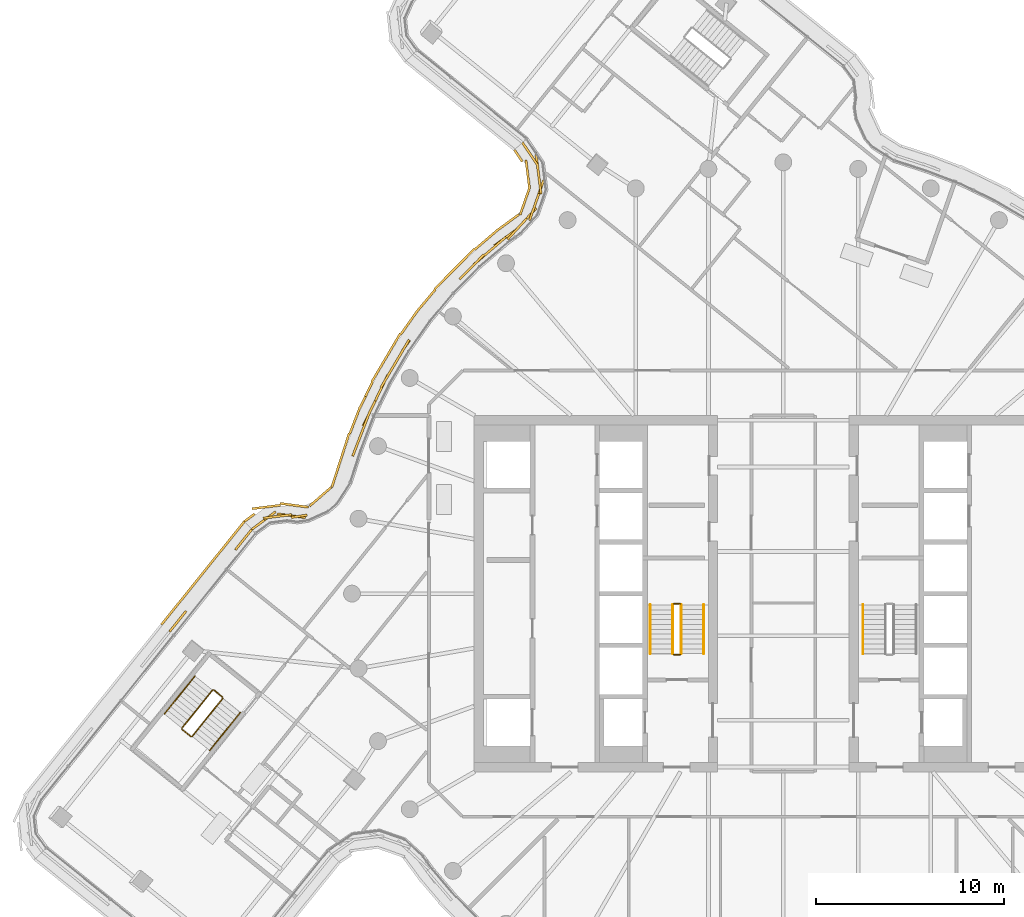
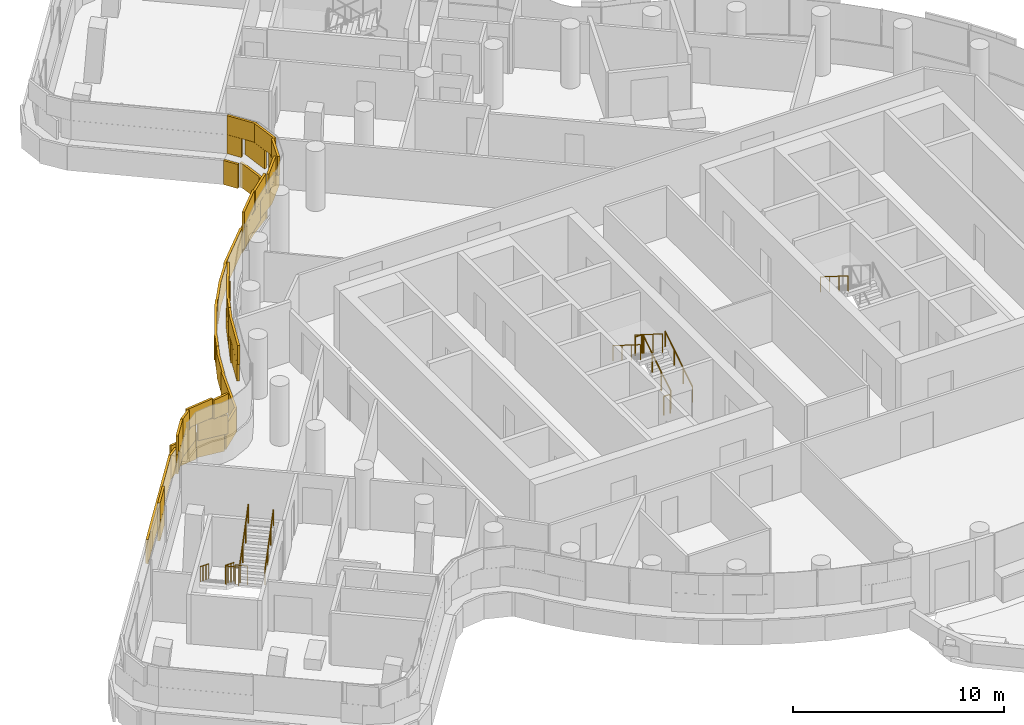
# One storey, part 22 of 25: 13 railings, 3 coverings.
"""IFC4 building model written with IfcOpenShell, lengths in metres."""

from ifc_helpers import new_model, si_unit, direction, frame, origin, origin_2d, place, context, subcontext, project, spatial, rectangle, circle, extrude, material, layer, layer_set, type_object, element, save


model = new_model("IFC4")

# Units and contexts
model_context = context("Model", 3, precision=1e-05, world=origin(), true_north=direction((0.0, 1.0)))
body_context = subcontext(model_context, "Body", "Model", "MODEL_VIEW")
ifc_project = project(units=[si_unit("LENGTHUNIT", "METRE"), si_unit("AREAUNIT", "SQUARE_METRE"), si_unit("VOLUMEUNIT", "CUBIC_METRE"), si_unit("PLANEANGLEUNIT", "RADIAN"), si_unit("MASSUNIT", "GRAM", prefix="KILO")], contexts=[model_context])

# Site, building, storey
site_placement = place(None, origin())
site = spatial("IfcSite", under=ifc_project, at=site_placement, CompositionType="ELEMENT")
building_placement = place(site_placement, origin())
building = spatial("IfcBuilding", under=site, at=building_placement, Name="Tamarind Cross Interchange Tower", CompositionType="ELEMENT")
storey_placement = place(building_placement, frame((0.0, 0.0, 219.89990234375)))
storey = spatial("IfcBuildingStorey", under=building, at=storey_placement, Name="L55", CompositionType="ELEMENT", Elevation=219.89990234375)

# Railings
ifc_material_1 = material(Name="Stair guard")
railing_type_1 = type_object("IfcRailingType", Name="Stair guard", PredefinedType="GUARDRAIL", material=ifc_material_1)
railing_1_placement = place(storey_placement, frame((-5.449951171875, -3.199951171875, 0.163818359375)))
element("IfcRailing", 1, at=railing_1_placement, inside=storey, type_object=railing_type_1, Name="L55 ST1 stair guard 1", PredefinedType="GUARDRAIL", context=body_context, shape_type="SweptSolid", body=[
    extrude(circle(Radius=0.02392578125, at=origin_2d()), frame((0.0, 0.0, 1.076171875), z_axis=(0.0, 0.846337672412, 0.532646734952), x_axis=(-1.0, 0.0, 0.0)), (0.0, 0.0, 1.0), 3.07177734375),
    extrude(circle(Radius=0.02099609375, at=origin_2d()), origin(), (0.0, 0.0, 1.0), 1.052001953125),
    extrude(circle(Radius=0.02099609375, at=origin_2d()), frame((0.0, 0.86669921875, 0.54541015625)), (0.0, 0.0, 1.0), 1.052001953125),
    extrude(circle(Radius=0.02099609375, at=origin_2d()), frame((0.0, 1.733154296875, 1.0908203125)), (0.0, 0.0, 1.0), 1.052001953125),
    extrude(circle(Radius=0.02099609375, at=origin_2d()), frame((0.0, 2.599853515625, 1.63623046875)), (0.0, 0.0, 1.0), 1.052001953125),
])
railing_2_placement = place(storey_placement, frame((-5.5, -0.550048828125, 1.800048828125)))
element("IfcRailing", 2, at=railing_2_placement, inside=storey, type_object=railing_type_1, Name="L55 ST1 stair guard 2", PredefinedType="GUARDRAIL", context=body_context, shape_type="SweptSolid", body=[
    extrude(circle(Radius=0.02392578125, at=origin_2d()), frame((0.0, 0.0, 1.076171875), z_axis=(-1.0, 0.0, 0.0), x_axis=(0.0, -1.0, 0.0)), (0.0, 0.0, 1.0), 0.35009765625),
    extrude(circle(Radius=0.02099609375, at=origin_2d()), origin(), (0.0, 0.0, 1.0), 1.052001953125),
    extrude(circle(Radius=0.02099609375, at=origin_2d()), frame((-0.35009765625, 0.0, 0.0)), (0.0, 0.0, 1.0), 1.052001953125),
])
railing_3_placement = place(storey_placement, frame((-5.89990234375, -0.60009765625, 1.963623046875)))
element("IfcRailing", 3, at=railing_3_placement, inside=storey, type_object=railing_type_1, Name="L55 ST1 stair guard 3", PredefinedType="GUARDRAIL", context=body_context, shape_type="SweptSolid", body=[
    extrude(circle(Radius=0.02392578125, at=origin_2d()), frame((0.0, 0.0, 1.076171875), z_axis=(0.0, -0.846301844409, 0.532703658848), x_axis=(1.0, 0.0, 0.0)), (0.0, 0.0, 1.0), 3.072021484375),
    extrude(circle(Radius=0.02099609375, at=origin_2d()), origin(), (0.0, 0.0, 1.0), 1.052001953125),
    extrude(circle(Radius=0.02099609375, at=origin_2d()), frame((0.0, -0.86669921875, 0.54541015625)), (0.0, 0.0, 1.0), 1.052001953125),
    extrude(circle(Radius=0.02099609375, at=origin_2d()), frame((0.0, -1.733154296875, 1.091064453125)), (0.0, 0.0, 1.0), 1.052001953125),
    extrude(circle(Radius=0.02099609375, at=origin_2d()), frame((0.0, -2.599853515625, 1.636474609375)), (0.0, 0.0, 1.0), 1.052001953125),
])
railing_4_placement = place(storey_placement, frame((-5.5, -3.25, 0.0)))
element("IfcRailing", 4, at=railing_4_placement, inside=storey, type_object=railing_type_1, Name="L55 ST1 stair guard 4", PredefinedType="GUARDRAIL", context=body_context, shape_type="SweptSolid", body=[
    extrude(circle(Radius=0.02392578125, at=origin_2d()), frame((0.0, 0.0, 1.076171875), z_axis=(-1.0, 0.0, 0.0), x_axis=(0.0, -1.0, 0.0)), (0.0, 0.0, 1.0), 0.35009765625),
    extrude(circle(Radius=0.02099609375, at=origin_2d()), origin(), (0.0, 0.0, 1.0), 1.052001953125),
    extrude(circle(Radius=0.02099609375, at=origin_2d()), frame((-0.35009765625, 0.0, 0.0)), (0.0, 0.0, 1.0), 1.052001953125),
])
railing_5_placement = place(storey_placement, frame((-30.438720703125, -5.14794921875, 0.163818359375)))
element("IfcRailing", 5, at=railing_5_placement, inside=storey, type_object=railing_type_1, Name="L55 ST5 stair guard 1", PredefinedType="GUARDRAIL", context=body_context, shape_type="SweptSolid", body=[
    extrude(circle(Radius=0.02392578125, at=origin_2d()), frame((0.0, 0.0, 1.076171875), z_axis=(-0.530340046103, -0.659567217534, 0.532644835753), x_axis=(0.779318122707, -0.626628489315, 0.0)), (0.0, 0.0, 1.0), 3.07177734375),
    extrude(circle(Radius=0.02099609375, at=origin_2d()), origin(), (0.0, 0.0, 1.0), 1.052001953125),
    extrude(circle(Radius=0.02099609375, at=origin_2d()), frame((-0.54296875, -0.67529296875, 0.54541015625)), (0.0, 0.0, 1.0), 1.052001953125),
    extrude(circle(Radius=0.02099609375, at=origin_2d()), frame((-1.086181640625, -1.350830078125, 1.0908203125)), (0.0, 0.0, 1.0), 1.052001953125),
    extrude(circle(Radius=0.02099609375, at=origin_2d()), frame((-1.629150390625, -2.026123046875, 1.63623046875)), (0.0, 0.0, 1.0), 1.052001953125),
])
railing_6_placement = place(storey_placement, frame((-32.060302734375, -7.244384765625, 1.800048828125)))
element("IfcRailing", 6, at=railing_6_placement, inside=storey, type_object=railing_type_1, Name="L55 ST5 stair guard 2", PredefinedType="GUARDRAIL", context=body_context, shape_type="SweptSolid", body=[
    extrude(circle(Radius=0.02392578125, at=origin_2d()), frame((0.0, 0.0, 1.076171875), z_axis=(0.779278251962, -0.626678072074, 0.0), x_axis=(0.626678072074, 0.779278251962, 0.0)), (0.0, 0.0, 1.0), 0.599853515625),
    extrude(circle(Radius=0.02099609375, at=origin_2d()), origin(), (0.0, 0.0, 1.0), 1.052001953125),
    extrude(circle(Radius=0.02099609375, at=origin_2d()), frame((0.467529296875, -0.3759765625, 0.0)), (0.0, 0.0, 1.0), 1.052001953125),
])
railing_7_placement = place(storey_placement, frame((-31.5224609375, -7.61279296875, 1.963623046875)))
element("IfcRailing", 7, at=railing_7_placement, inside=storey, type_object=railing_type_1, Name="L55 ST5 stair guard 3", PredefinedType="GUARDRAIL", context=body_context, shape_type="SweptSolid", body=[
    extrude(circle(Radius=0.02392578125, at=origin_2d()), frame((0.0, 0.0, 1.076171875), z_axis=(0.530374713426, 0.659511499359, 0.532679308375), x_axis=(-0.779272265444, 0.626685516276, 0.0)), (0.0, 0.0, 1.0), 3.072265625),
    extrude(circle(Radius=0.02099609375, at=origin_2d()), origin(), (0.0, 0.0, 1.0), 1.052001953125),
    extrude(circle(Radius=0.02099609375, at=origin_2d()), frame((0.543212890625, 0.67529296875, 0.54541015625)), (0.0, 0.0, 1.0), 1.052001953125),
    extrude(circle(Radius=0.02099609375, at=origin_2d()), frame((1.086181640625, 1.350830078125, 1.091064453125)), (0.0, 0.0, 1.0), 1.052001953125),
    extrude(circle(Radius=0.02099609375, at=origin_2d()), frame((1.62939453125, 2.026123046875, 1.636474609375)), (0.0, 0.0, 1.0), 1.052001953125),
])
railing_8_placement = place(storey_placement, frame((-30.368408203125, -5.140380859375, 0.0)))
element("IfcRailing", 8, at=railing_8_placement, inside=storey, type_object=railing_type_1, Name="L55 ST5 stair guard 4", PredefinedType="GUARDRAIL", context=body_context, shape_type="SweptSolid", body=[
    extrude(circle(Radius=0.02392578125, at=origin_2d()), frame((0.0, 0.0, 1.076171875), z_axis=(0.779278251962, -0.626678072074, 0.0), x_axis=(0.626678072074, 0.779278251962, 0.0)), (0.0, 0.0, 1.0), 0.599853515625),
    extrude(circle(Radius=0.02099609375, at=origin_2d()), origin(), (0.0, 0.0, 1.0), 1.052001953125),
    extrude(circle(Radius=0.02099609375, at=origin_2d()), frame((0.467529296875, -0.3759765625, 0.0)), (0.0, 0.0, 1.0), 1.052001953125),
])
ifc_material_2 = material(Name="Stair handrail")
railing_type_2 = type_object("IfcRailingType", Name="Stair handrail", PredefinedType="HANDRAIL", material=ifc_material_2)
railing_9_placement = place(storey_placement, frame((-4.25, -3.199951171875, 0.163818359375)))
element("IfcRailing", 9, at=railing_9_placement, inside=storey, type_object=railing_type_2, Name="L55 ST1 stair handrail 1", PredefinedType="HANDRAIL", context=body_context, shape_type="SweptSolid", body=[
    extrude(circle(Radius=0.02392578125, at=origin_2d()), frame((0.0, 0.0, 0.8759765625), z_axis=(0.0, 0.846337672412, 0.532646734952), x_axis=(-1.0, 0.0, 0.0)), (0.0, 0.0, 1.0), 3.07177734375),
    extrude(circle(Radius=0.02099609375, at=origin_2d()), origin(), (0.0, 0.0, 1.0), 0.851806640625),
    extrude(circle(Radius=0.02099609375, at=origin_2d()), frame((0.0, 0.86669921875, 0.54541015625)), (0.0, 0.0, 1.0), 0.851806640625),
    extrude(circle(Radius=0.02099609375, at=origin_2d()), frame((0.0, 1.733154296875, 1.0908203125)), (0.0, 0.0, 1.0), 0.851806640625),
    extrude(circle(Radius=0.02099609375, at=origin_2d()), frame((0.0, 2.599853515625, 1.63623046875)), (0.0, 0.0, 1.0), 0.851806640625),
])
for number, where, name in (
    (10, (-7.10009765625, -0.60009765625, 1.963623046875), "L55 ST1 stair handrail 2"),
    (11, (4.25, -0.60009765625, 1.963623046875), "L55 ST2 stair handrail 2"),
):
    element("IfcRailing", number, at=place(storey_placement, frame(where)), inside=storey, type_object=railing_type_2, Name=name, PredefinedType="HANDRAIL", context=body_context, shape_type="SweptSolid", body=[
        extrude(circle(Radius=0.02392578125, at=origin_2d()), frame((0.0, 0.0, 0.8759765625), z_axis=(0.0, -0.846301844409, 0.532703658848), x_axis=(1.0, 0.0, 0.0)), (0.0, 0.0, 1.0), 3.072021484375),
        extrude(circle(Radius=0.02099609375, at=origin_2d()), origin(), (0.0, 0.0, 1.0), 0.851806640625),
        extrude(circle(Radius=0.02099609375, at=origin_2d()), frame((0.0, -0.86669921875, 0.54541015625)), (0.0, 0.0, 1.0), 0.851806640625),
        extrude(circle(Radius=0.02099609375, at=origin_2d()), frame((0.0, -1.733154296875, 1.091064453125)), (0.0, 0.0, 1.0), 0.851806640625),
        extrude(circle(Radius=0.02099609375, at=origin_2d()), frame((0.0, -2.599853515625, 1.636474609375)), (0.0, 0.0, 1.0), 0.851806640625),
    ])
railing_10_placement = place(storey_placement, frame((-31.373779296875, -4.39599609375, 0.163818359375)))
element("IfcRailing", 12, at=railing_10_placement, inside=storey, type_object=railing_type_2, Name="L55 ST5 stair handrail 1", PredefinedType="HANDRAIL", context=body_context, shape_type="SweptSolid", body=[
    extrude(circle(Radius=0.02392578125, at=origin_2d()), frame((0.0, 0.0, 0.8759765625), z_axis=(-0.530397164671, -0.659539417082, 0.53262238502), x_axis=(0.779272265444, -0.626685516276, 0.0)), (0.0, 0.0, 1.0), 3.072021484375),
    extrude(circle(Radius=0.02099609375, at=origin_2d()), origin(), (0.0, 0.0, 1.0), 0.851806640625),
    extrude(circle(Radius=0.02099609375, at=origin_2d()), frame((-0.543212890625, -0.67529296875, 0.54541015625)), (0.0, 0.0, 1.0), 0.851806640625),
    extrude(circle(Radius=0.02099609375, at=origin_2d()), frame((-1.086181640625, -1.350830078125, 1.0908203125)), (0.0, 0.0, 1.0), 0.851806640625),
    extrude(circle(Radius=0.02099609375, at=origin_2d()), frame((-1.62939453125, -2.026123046875, 1.63623046875)), (0.0, 0.0, 1.0), 0.851806640625),
])
railing_11_placement = place(storey_placement, frame((-30.58740234375, -8.36474609375, 1.963623046875)))
element("IfcRailing", 13, at=railing_11_placement, inside=storey, type_object=railing_type_2, Name="L55 ST5 stair handrail 2", PredefinedType="HANDRAIL", context=body_context, shape_type="SweptSolid", body=[
    extrude(circle(Radius=0.02392578125, at=origin_2d()), frame((0.0, 0.0, 0.8759765625), z_axis=(0.530374713426, 0.659511499359, 0.532679308375), x_axis=(-0.779272265444, 0.626685516276, 0.0)), (0.0, 0.0, 1.0), 3.072265625),
    extrude(circle(Radius=0.02099609375, at=origin_2d()), origin(), (0.0, 0.0, 1.0), 0.851806640625),
    extrude(circle(Radius=0.02099609375, at=origin_2d()), frame((0.543212890625, 0.67529296875, 0.54541015625)), (0.0, 0.0, 1.0), 0.851806640625),
    extrude(circle(Radius=0.02099609375, at=origin_2d()), frame((1.086181640625, 1.350830078125, 1.091064453125)), (0.0, 0.0, 1.0), 0.851806640625),
    extrude(circle(Radius=0.02099609375, at=origin_2d()), frame((1.62939453125, 2.026123046875, 1.636474609375)), (0.0, 0.0, 1.0), 0.851806640625),
])

# Coverings
ifc_material_3 = material(Name="Terracotta", Category="masonry")
ifc_layer = layer(ifc_material_3, 0.1201171875)
ifc_layer_set = layer_set([ifc_layer], Name="Terracotta")
covering_type = type_object("IfcCoveringType", Name="Terracotta baguette screen unit", PredefinedType="MOLDING", material=ifc_layer_set)
covering_1_placement = place(storey_placement, origin())
element("IfcCovering", 14, at=covering_1_placement, inside=storey, type_object=covering_type, Name="SCR-L55-06-00", PredefinedType="MOLDING", context=body_context, shape_type="SweptSolid", body=[
    extrude(rectangle(XDim=0.760009765625, YDim=0.1201171875, at=origin_2d()), frame((-13.7041015625, 23.745849609375, 1.404296875), z_axis=(0.0, 0.0, 1.0), x_axis=(0.5585919075, -0.829442632661, 0.0)), (0.0, 0.0, 1.0), 1.092041015625),
    extrude(rectangle(XDim=1.52001953125, YDim=0.1201171875, at=origin_2d()), frame((-13.105224609375, 22.801513671875, 1.404296875), z_axis=(0.0, 0.0, 1.0), x_axis=(0.125248605136, -0.992125388704, 0.0)), (0.0, 0.0, 1.0), 1.092041015625),
    extrude(rectangle(XDim=1.52001953125, YDim=0.1201171875, at=origin_2d()), frame((-13.03564453125, 21.325927734375, 1.404296875), z_axis=(0.0, 0.0, 1.0), x_axis=(-0.329231023706, -0.944249401922, 0.0)), (0.0, 0.0, 1.0), 1.092041015625),
    extrude(rectangle(XDim=1.52001953125, YDim=0.1201171875, at=origin_2d()), frame((-13.684814453125, 20.002197265625, 1.404296875), z_axis=(0.0, 0.0, 1.0), x_axis=(-0.675227017746, -0.737609974516, 0.0)), (0.0, 0.0, 1.0), 1.092041015625),
    extrude(rectangle(XDim=1.52001953125, YDim=0.1201171875, at=origin_2d()), frame((-14.793701171875, 19.003173828125, 1.404296875), z_axis=(0.0, 0.0, 1.0), x_axis=(-0.807842579022, -0.589398309735, 0.0)), (0.0, 0.0, 1.0), 1.092041015625),
    extrude(rectangle(XDim=1.52001953125, YDim=0.1201171875, at=origin_2d()), frame((-15.93896484375, 18.034912109375, 1.404296875), z_axis=(0.0, 0.0, 1.0), x_axis=(-0.760295606781, -0.64957723968, 0.0)), (0.0, 0.0, 1.0), 1.092041015625),
    extrude(rectangle(XDim=1.102783203125, YDim=0.1201171875, at=origin_2d()), frame((-16.885009765625, 17.150146484375, 1.404296875), z_axis=(0.0, 0.0, 1.0), x_axis=(-0.704057148523, -0.710143317658, 0.0)), (0.0, 0.0, 1.0), 1.092041015625),
    extrude(rectangle(XDim=0.717041015625, YDim=0.1201171875, at=origin_2d()), frame((-20.12353515625, 13.223876953125, 1.404296875), z_axis=(0.0, 0.0, 1.0), x_axis=(-0.577568978284, -0.816341886298, 0.0)), (0.0, 0.0, 1.0), 1.092041015625),
    extrude(rectangle(XDim=1.52001953125, YDim=0.1201171875, at=origin_2d()), frame((-20.696044921875, 12.281005859375, 1.404296875), z_axis=(0.0, 0.0, 1.0), x_axis=(-0.508183308752, -0.861248933065, 0.0)), (0.0, 0.0, 1.0), 1.092041015625),
    extrude(rectangle(XDim=1.52001953125, YDim=0.1201171875, at=origin_2d()), frame((-21.426025390625, 10.9716796875, 1.404296875), z_axis=(0.0, 0.0, 1.0), x_axis=(-0.435326231914, -0.900272776334, 0.0)), (0.0, 0.0, 1.0), 1.092041015625),
    extrude(rectangle(XDim=0.039306640625, YDim=0.1201171875, at=origin_2d()), frame((-21.7587890625, 10.283447265625, 1.404296875), z_axis=(0.0, 0.0, 1.0), x_axis=(-0.435326231914, -0.900272776334, 0.0)), (0.0, 0.0, 1.0), 1.092041015625),
    extrude(rectangle(XDim=1.510009765625, YDim=0.1201171875, at=origin_2d()), frame((-13.49462890625, 23.434814453125, 2.50390625), z_axis=(0.0, 0.0, 1.0), x_axis=(0.5585919075, -0.829442632661, 0.0)), (0.0, 0.0, 1.0), 1.092041015625),
    extrude(rectangle(XDim=1.52001953125, YDim=0.1201171875, at=origin_2d()), frame((-13.01123046875, 22.057373046875, 2.50390625), z_axis=(0.0, 0.0, 1.0), x_axis=(0.125248605136, -0.992125388704, 0.0)), (0.0, 0.0, 1.0), 1.092041015625),
    extrude(rectangle(XDim=1.52001953125, YDim=0.1201171875, at=origin_2d()), frame((-13.282470703125, 20.61767578125, 2.50390625), z_axis=(0.0, 0.0, 1.0), x_axis=(-0.329231023706, -0.944249401922, 0.0)), (0.0, 0.0, 1.0), 1.092041015625),
    extrude(rectangle(XDim=1.52001953125, YDim=0.1201171875, at=origin_2d()), frame((-14.191162109375, 19.448974609375, 2.50390625), z_axis=(0.0, 0.0, 1.0), x_axis=(-0.675227017746, -0.737609974516, 0.0)), (0.0, 0.0, 1.0), 1.092041015625),
    extrude(rectangle(XDim=1.52001953125, YDim=0.1201171875, at=origin_2d()), frame((-15.36865234375, 18.522216796875, 2.50390625), z_axis=(0.0, 0.0, 1.0), x_axis=(-0.760295606781, -0.64957723968, 0.0)), (0.0, 0.0, 1.0), 1.092041015625),
    extrude(rectangle(XDim=1.52001953125, YDim=0.1201171875, at=origin_2d()), frame((-16.500244140625, 17.5380859375, 2.50390625), z_axis=(0.0, 0.0, 1.0), x_axis=(-0.704057148523, -0.710143317658, 0.0)), (0.0, 0.0, 1.0), 1.092041015625),
    extrude(rectangle(XDim=0.352783203125, YDim=0.1201171875, at=origin_2d()), frame((-17.14892578125, 16.8837890625, 2.50390625), z_axis=(0.0, 0.0, 1.0), x_axis=(-0.704057148523, -0.710143317658, 0.0)), (0.0, 0.0, 1.0), 1.092041015625),
    extrude(rectangle(XDim=1.467041015625, YDim=0.1201171875, at=origin_2d()), frame((-20.325927734375, 12.908447265625, 2.50390625), z_axis=(0.0, 0.0, 1.0), x_axis=(-0.508183308752, -0.861248933065, 0.0)), (0.0, 0.0, 1.0), 1.092041015625),
    extrude(rectangle(XDim=1.52001953125, YDim=0.1201171875, at=origin_2d()), frame((-21.0771484375, 11.635009765625, 2.50390625), z_axis=(0.0, 0.0, 1.0), x_axis=(-0.508183308752, -0.861248933065, 0.0)), (0.0, 0.0, 1.0), 1.092041015625),
    extrude(rectangle(XDim=0.789306640625, YDim=0.1201171875, at=origin_2d()), frame((-21.595458984375, 10.620849609375, 2.50390625), z_axis=(0.0, 0.0, 1.0), x_axis=(-0.435326231914, -0.900272776334, 0.0)), (0.0, 0.0, 1.0), 1.092041015625),
    extrude(rectangle(XDim=0.760009765625, YDim=0.1201171875, at=origin_2d()), frame((-14.12939453125, 23.349609375, 0.004150390625), z_axis=(0.0, 0.0, 1.0), x_axis=(0.5585919075, -0.829442632661, 0.0)), (0.0, 0.0, 1.0), 1.39208984375),
    extrude(rectangle(XDim=1.52001953125, YDim=0.1201171875, at=origin_2d()), frame((-13.629638671875, 22.373291015625, 0.004150390625), z_axis=(0.0, 0.0, 1.0), x_axis=(0.125248605136, -0.992125388704, 0.0)), (0.0, 0.0, 1.0), 1.39208984375),
    extrude(rectangle(XDim=1.52001953125, YDim=0.1201171875, at=origin_2d()), frame((-13.784423828125, 20.92138671875, 0.004150390625), z_axis=(0.0, 0.0, 1.0), x_axis=(-0.329231023706, -0.944249401922, 0.0)), (0.0, 0.0, 1.0), 1.39208984375),
    extrude(rectangle(XDim=1.52001953125, YDim=0.1201171875, at=origin_2d()), frame((-14.71142578125, 19.773681640625, 0.004150390625), z_axis=(0.0, 0.0, 1.0), x_axis=(-0.807842579022, -0.589398309735, 0.0)), (0.0, 0.0, 1.0), 1.39208984375),
    extrude(rectangle(XDim=1.52001953125, YDim=0.1201171875, at=origin_2d()), frame((-15.882568359375, 18.838134765625, 0.004150390625), z_axis=(0.0, 0.0, 1.0), x_axis=(-0.760295606781, -0.64957723968, 0.0)), (0.0, 0.0, 1.0), 1.39208984375),
    extrude(rectangle(XDim=1.52001953125, YDim=0.1201171875, at=origin_2d()), frame((-17.0048828125, 17.844482421875, 0.004150390625), z_axis=(0.0, 0.0, 1.0), x_axis=(-0.704057148523, -0.710143317658, 0.0)), (0.0, 0.0, 1.0), 1.39208984375),
    extrude(rectangle(XDim=1.52001953125, YDim=0.1201171875, at=origin_2d()), frame((-18.06103515625, 16.779296875, 0.004150390625), z_axis=(0.0, 0.0, 1.0), x_axis=(-0.704057148523, -0.710143317658, 0.0)), (0.0, 0.0, 1.0), 1.39208984375),
    extrude(rectangle(XDim=1.52001953125, YDim=0.1201171875, at=origin_2d()), frame((-19.038818359375, 15.642578125, 0.004150390625), z_axis=(0.0, 0.0, 1.0), x_axis=(-0.643009266048, -0.765858396687, 0.0)), (0.0, 0.0, 1.0), 1.39208984375),
    extrude(rectangle(XDim=1.52001953125, YDim=0.1201171875, at=origin_2d()), frame((-19.954833984375, 14.456298828125, 0.004150390625), z_axis=(0.0, 0.0, 1.0), x_axis=(-0.577568978284, -0.816341886298, 0.0)), (0.0, 0.0, 1.0), 1.39208984375),
    extrude(rectangle(XDim=1.52001953125, YDim=0.1201171875, at=origin_2d()), frame((-20.806884765625, 13.22265625, 0.004150390625), z_axis=(0.0, 0.0, 1.0), x_axis=(-0.508183308752, -0.861248933065, 0.0)), (0.0, 0.0, 1.0), 1.39208984375),
    extrude(rectangle(XDim=1.52001953125, YDim=0.1201171875, at=origin_2d()), frame((-21.5693359375, 11.9306640625, 0.004150390625), z_axis=(0.0, 0.0, 1.0), x_axis=(-0.508183308752, -0.861248933065, 0.0)), (0.0, 0.0, 1.0), 1.39208984375),
    extrude(rectangle(XDim=0.846923828125, YDim=0.1201171875, at=origin_2d()), frame((-22.099853515625, 10.896240234375, 0.004150390625), z_axis=(0.0, 0.0, 1.0), x_axis=(-0.435326231914, -0.900272776334, 0.0)), (0.0, 0.0, 1.0), 1.39208984375),
])
covering_2_placement = place(storey_placement, origin())
element("IfcCovering", 15, at=covering_2_placement, inside=storey, type_object=covering_type, Name="SCR-L55-06-01", PredefinedType="MOLDING", context=body_context, shape_type="SweptSolid", body=[
    extrude(rectangle(XDim=1.480712890625, YDim=0.1201171875, at=origin_2d()), frame((-22.085205078125, 9.608154296875, 1.404296875), z_axis=(0.0, 0.0, 1.0), x_axis=(-0.435326231914, -0.900272776334, 0.0)), (0.0, 0.0, 1.0), 1.092041015625),
    extrude(rectangle(XDim=1.52001953125, YDim=0.1201171875, at=origin_2d()), frame((-22.62158203125, 8.22314453125, 1.404296875), z_axis=(0.0, 0.0, 1.0), x_axis=(-0.359495435512, -0.933146843667, 0.0)), (0.0, 0.0, 1.0), 1.092041015625),
    extrude(rectangle(XDim=1.52001953125, YDim=0.1201171875, at=origin_2d()), frame((-26.23388671875, 4.152587890625, 1.404296875), z_axis=(0.0, 0.0, 1.0), x_axis=(-0.991214406309, 0.132264888484, 0.0)), (0.0, 0.0, 1.0), 1.092041015625),
    extrude(rectangle(XDim=1.52001953125, YDim=0.1201171875, at=origin_2d()), frame((-27.679443359375, 3.917724609375, 1.404296875), z_axis=(0.0, 0.0, 1.0), x_axis=(-0.803895507673, -0.594770554704, 0.0)), (0.0, 0.0, 1.0), 1.092041015625),
    extrude(rectangle(XDim=0.083740234375, YDim=0.1201171875, at=origin_2d()), frame((-28.31201171875, 3.44970703125, 1.404296875), z_axis=(0.0, 0.0, 1.0), x_axis=(-0.803895507673, -0.594770554704, 0.0)), (0.0, 0.0, 1.0), 1.092041015625),
    extrude(rectangle(XDim=0.730712890625, YDim=0.1201171875, at=origin_2d()), frame((-21.922119140625, 9.94580078125, 2.50390625), z_axis=(0.0, 0.0, 1.0), x_axis=(-0.435326231914, -0.900272776334, 0.0)), (0.0, 0.0, 1.0), 1.092041015625),
    extrude(rectangle(XDim=1.52001953125, YDim=0.1201171875, at=origin_2d()), frame((-22.35205078125, 8.923095703125, 2.50390625), z_axis=(0.0, 0.0, 1.0), x_axis=(-0.359495435512, -0.933146843667, 0.0)), (0.0, 0.0, 1.0), 1.092041015625),
    extrude(rectangle(XDim=0.96142578125, YDim=0.1201171875, at=origin_2d()), frame((-22.792724609375, 7.779296875, 2.50390625), z_axis=(0.0, 0.0, 1.0), x_axis=(-0.359495435512, -0.933146843667, 0.0)), (0.0, 0.0, 1.0), 1.092041015625),
    extrude(rectangle(XDim=0.8583984375, YDim=0.1201171875, at=origin_2d()), frame((-25.8134765625, 4.125732421875, 2.50390625), z_axis=(0.0, 0.0, 1.0), x_axis=(-0.988746415505, -0.149601222676, 0.0)), (0.0, 0.0, 1.0), 1.092041015625),
    extrude(rectangle(XDim=1.52001953125, YDim=0.1201171875, at=origin_2d()), frame((-26.977783203125, 4.1171875, 2.50390625), z_axis=(0.0, 0.0, 1.0), x_axis=(-0.992335320994, -0.12357431249, 0.0)), (0.0, 0.0, 1.0), 1.092041015625),
    extrude(rectangle(XDim=0.833740234375, YDim=0.1201171875, at=origin_2d()), frame((-28.010498046875, 3.6728515625, 2.50390625), z_axis=(0.0, 0.0, 1.0), x_axis=(-0.803895507673, -0.594770554704, 0.0)), (0.0, 0.0, 1.0), 1.092041015625),
    extrude(rectangle(XDim=0.673095703125, YDim=0.1201171875, at=origin_2d()), frame((-22.430908203125, 10.212158203125, 0.004150390625), z_axis=(0.0, 0.0, 1.0), x_axis=(-0.435326231914, -0.900272776334, 0.0)), (0.0, 0.0, 1.0), 1.39208984375),
    extrude(rectangle(XDim=1.52001953125, YDim=0.1201171875, at=origin_2d()), frame((-22.851806640625, 9.22216796875, 0.004150390625), z_axis=(0.0, 0.0, 1.0), x_axis=(-0.359495435512, -0.933146843667, 0.0)), (0.0, 0.0, 1.0), 1.39208984375),
    extrude(rectangle(XDim=1.52001953125, YDim=0.1201171875, at=origin_2d()), frame((-23.3857421875, 7.820556640625, 0.004150390625), z_axis=(0.0, 0.0, 1.0), x_axis=(-0.306224535834, -0.951959313024, 0.0)), (0.0, 0.0, 1.0), 1.39208984375),
    extrude(rectangle(XDim=1.52001953125, YDim=0.1201171875, at=origin_2d()), frame((-23.84521484375, 6.392578125, 0.004150390625), z_axis=(0.0, 0.0, 1.0), x_axis=(-0.306224535834, -0.951959313024, 0.0)), (0.0, 0.0, 1.0), 1.39208984375),
    extrude(rectangle(XDim=1.52001953125, YDim=0.1201171875, at=origin_2d()), frame((-24.686767578125, 5.170166015625, 0.004150390625), z_axis=(0.0, 0.0, 1.0), x_axis=(-0.75456717584, -0.656222810595, 0.0)), (0.0, 0.0, 1.0), 1.39208984375),
    extrude(rectangle(XDim=1.52001953125, YDim=0.1201171875, at=origin_2d()), frame((-26.0810546875, 4.71142578125, 0.004150390625), z_axis=(0.0, 0.0, 1.0), x_axis=(-0.991214406309, 0.132264888484, 0.0)), (0.0, 0.0, 1.0), 1.39208984375),
    extrude(rectangle(XDim=1.52001953125, YDim=0.1201171875, at=origin_2d()), frame((-27.569091796875, 4.6220703125, 0.004150390625), z_axis=(0.0, 0.0, 1.0), x_axis=(-0.992335320994, -0.12357431249, 0.0)), (0.0, 0.0, 1.0), 1.39208984375),
    extrude(rectangle(XDim=0.6845703125, YDim=0.1201171875, at=origin_2d()), frame((-28.46728515625, 4.048828125, 0.004150390625), z_axis=(0.0, 0.0, 1.0), x_axis=(-0.803895507673, -0.594770554704, 0.0)), (0.0, 0.0, 1.0), 1.39208984375),
])
covering_3_placement = place(storey_placement, origin())
element("IfcCovering", 16, at=covering_3_placement, inside=storey, type_object=covering_type, Name="SCR-L55-07-00", PredefinedType="MOLDING", context=body_context, shape_type="SweptSolid", body=[
    extrude(rectangle(XDim=0.760009765625, YDim=0.1201171875, at=origin_2d()), frame((-28.57666015625, 3.135498046875, 1.404296875), z_axis=(0.0, 0.0, 1.0), x_axis=(-0.62666909883, -0.779285467959, 0.0)), (0.0, 0.0, 1.0), 1.092041015625),
    extrude(rectangle(XDim=0.6572265625, YDim=0.1201171875, at=origin_2d()), frame((-29.014404296875, 2.591064453125, 1.404296875), z_axis=(0.0, 0.0, 1.0), x_axis=(-0.62666909883, -0.779285467959, 0.0)), (0.0, 0.0, 1.0), 1.092041015625),
    extrude(rectangle(XDim=1.162841796875, YDim=0.1201171875, at=origin_2d()), frame((-32.21044921875, -1.38330078125, 1.404296875), z_axis=(0.0, 0.0, 1.0), x_axis=(-0.62666909883, -0.779285467959, 0.0)), (0.0, 0.0, 1.0), 1.092041015625),
    extrude(rectangle(XDim=0.254638671875, YDim=0.1201171875, at=origin_2d()), frame((-32.648193359375, -1.927734375, 1.404296875), z_axis=(0.0, 0.0, 1.0), x_axis=(-0.62666909883, -0.779285467959, 0.0)), (0.0, 0.0, 1.0), 1.092041015625),
    extrude(rectangle(XDim=1.397216796875, YDim=0.1201171875, at=origin_2d()), frame((-28.779296875, 2.88330078125, 2.50390625), z_axis=(0.0, 0.0, 1.0), x_axis=(-0.62666909883, -0.779285467959, 0.0)), (0.0, 0.0, 1.0), 1.092041015625),
    extrude(rectangle(XDim=0.412841796875, YDim=0.1201171875, at=origin_2d()), frame((-31.975341796875, -1.091064453125, 2.50390625), z_axis=(0.0, 0.0, 1.0), x_axis=(-0.62666909883, -0.779285467959, 0.0)), (0.0, 0.0, 1.0), 1.092041015625),
    extrude(rectangle(XDim=1.004638671875, YDim=0.1201171875, at=origin_2d()), frame((-32.4130859375, -1.635498046875, 2.50390625), z_axis=(0.0, 0.0, 1.0), x_axis=(-0.62666909883, -0.779285467959, 0.0)), (0.0, 0.0, 1.0), 1.092041015625),
    extrude(rectangle(XDim=0.760009765625, YDim=0.1201171875, at=origin_2d()), frame((-28.980712890625, 3.549072265625, 0.004150390625), z_axis=(0.0, 0.0, 1.0), x_axis=(-0.62666909883, -0.779285467959, 0.0)), (0.0, 0.0, 1.0), 1.39208984375),
    extrude(rectangle(XDim=1.52001953125, YDim=0.1201171875, at=origin_2d()), frame((-29.682373046875, 2.67626953125, 0.004150390625), z_axis=(0.0, 0.0, 1.0), x_axis=(-0.62666909883, -0.779285467959, 0.0)), (0.0, 0.0, 1.0), 1.39208984375),
    extrude(rectangle(XDim=1.52001953125, YDim=0.1201171875, at=origin_2d()), frame((-30.62255859375, 1.50732421875, 0.004150390625), z_axis=(0.0, 0.0, 1.0), x_axis=(-0.62666909883, -0.779285467959, 0.0)), (0.0, 0.0, 1.0), 1.39208984375),
    extrude(rectangle(XDim=1.52001953125, YDim=0.1201171875, at=origin_2d()), frame((-31.5625, 0.33837890625, 0.004150390625), z_axis=(0.0, 0.0, 1.0), x_axis=(-0.62666909883, -0.779285467959, 0.0)), (0.0, 0.0, 1.0), 1.39208984375),
    extrude(rectangle(XDim=1.52001953125, YDim=0.1201171875, at=origin_2d()), frame((-32.50244140625, -0.83056640625, 0.004150390625), z_axis=(0.0, 0.0, 1.0), x_axis=(-0.62666909883, -0.779285467959, 0.0)), (0.0, 0.0, 1.0), 1.39208984375),
    extrude(rectangle(XDim=0.311767578125, YDim=0.1201171875, at=origin_2d()), frame((-33.06396484375, -1.528564453125, 0.004150390625), z_axis=(0.0, 0.0, 1.0), x_axis=(-0.62666909883, -0.779285467959, 0.0)), (0.0, 0.0, 1.0), 1.39208984375),
])

save(model, "model.ifc")
